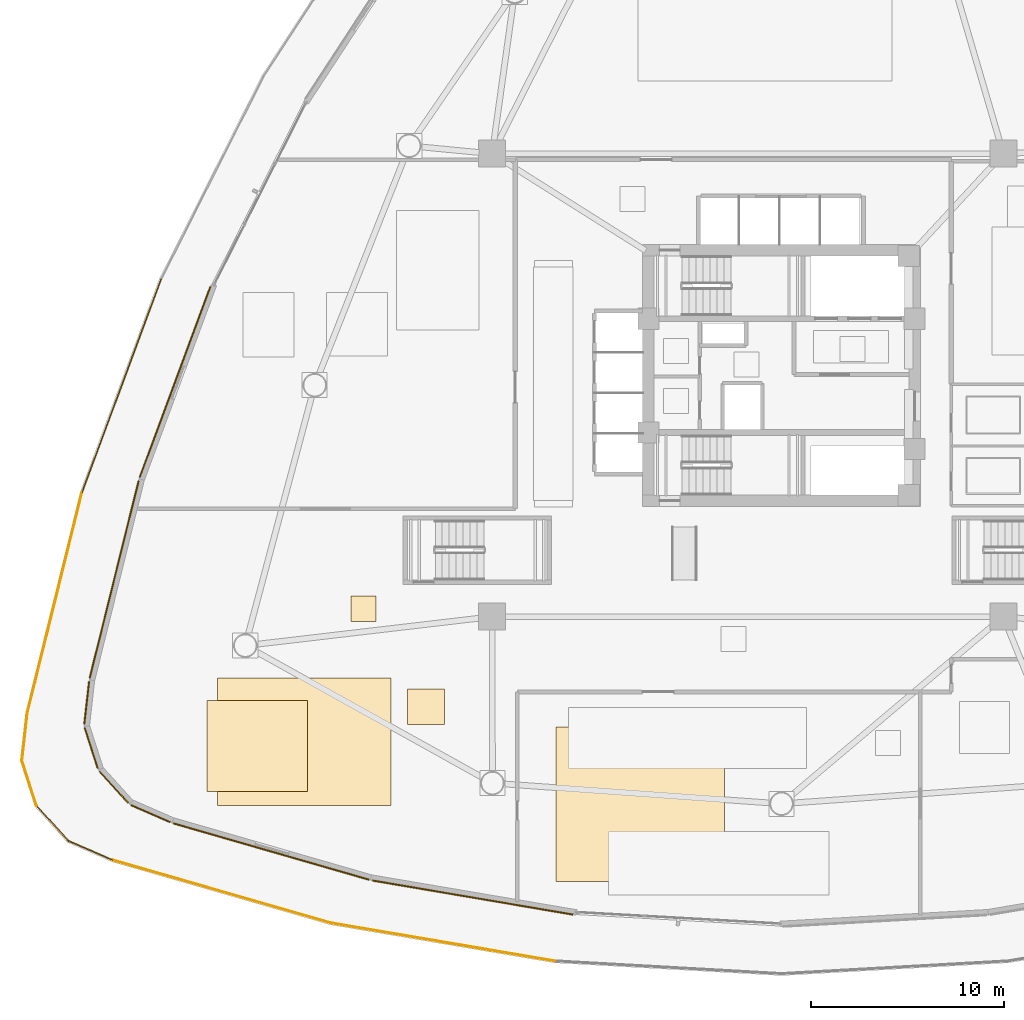
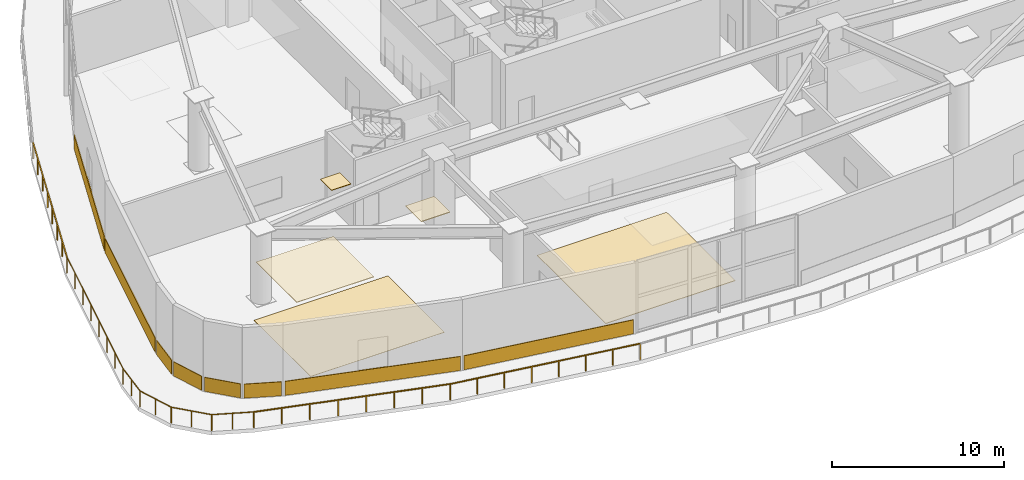
# One storey, part 17 of 25: 13 coverings, 8 railings.
"""IFC4 building model written with IfcOpenShell, lengths in metres."""

from ifc_helpers import new_model, si_unit, direction, frame, origin, origin_2d, place, context, subcontext, project, spatial, polyline, rectangle, outline, extrude, material, layer, layer_set, type_object, element, save


model = new_model("IFC4")

# Units and contexts
model_context = context("Model", 3, precision=1e-05, world=origin(), true_north=direction((0.0, 1.0)))
body_context = subcontext(model_context, "Body", "Model", "MODEL_VIEW")
ifc_project = project(units=[si_unit("LENGTHUNIT", "METRE"), si_unit("AREAUNIT", "SQUARE_METRE"), si_unit("VOLUMEUNIT", "CUBIC_METRE"), si_unit("PLANEANGLEUNIT", "RADIAN"), si_unit("MASSUNIT", "GRAM", prefix="KILO")], contexts=[model_context])

# Site, building, storey
site_placement = place(None, origin())
site = spatial("IfcSite", under=ifc_project, at=site_placement, CompositionType="ELEMENT")
building_placement = place(site_placement, origin())
building = spatial("IfcBuilding", under=site, at=building_placement, Name="Tavelor Broadcast Tower", CompositionType="ELEMENT")
storey_placement = place(building_placement, frame((0.0, 0.0, 11.39990234375)))
storey = spatial("IfcBuildingStorey", under=building, at=storey_placement, Name="L02", CompositionType="ELEMENT", Elevation=11.39990234375)

# Coverings
ifc_material_1 = material(Name="Acoustic Nylon Carpet Tile")
ifc_layer_1 = layer(ifc_material_1, 0.02001953125)
ifc_layer_set_1 = layer_set([ifc_layer_1], Name="Acoustic Nylon Carpet Tile")
covering_type_1 = type_object("IfcCoveringType", Name="Heavy-Duty Acoustic Broadcast Carpet Tile 20 mm", PredefinedType="FLOORING", material=ifc_layer_set_1)
covering_1_placement = place(storey_placement, origin())
element("IfcCovering", 1, at=covering_1_placement, inside=storey, type_object=covering_type_1, Name="L02 Broadcast Floor Finish 0026", PredefinedType="FLOORING", context=body_context, shape_type="SweptSolid", body=[
    extrude(outline(polyline([(20.748291015625, 22.710693359375), (29.75732421875, 22.710693359375), (29.75732421875, 29.316650390625), (20.748291015625, 29.316650390625), (20.748291015625, 22.710693359375)])), origin(), (0.0, 0.0, 1.0), 0.02001953125),
])
ifc_material_2 = material(Name="Acoustic Hardwood Studio Flooring", Category="wood")
ifc_layer_2 = layer(ifc_material_2, 0.034912109375)
ifc_layer_set_2 = layer_set([ifc_layer_2], Name="Acoustic Hardwood Studio Flooring")
covering_type_2 = type_object("IfcCoveringType", Name="Isolated Studio Acoustic Elastomeric Floor Finish 35 mm", PredefinedType="FLOORING", material=ifc_layer_set_2)
covering_2_placement = place(storey_placement, origin())
element("IfcCovering", 2, at=covering_2_placement, inside=storey, type_object=covering_type_2, Name="L02 Broadcast Floor Finish 0025", PredefinedType="FLOORING", context=body_context, shape_type="SweptSolid", body=[
    extrude(outline(polyline([(38.31640625, 18.772216796875), (47.03125, 18.772216796875), (47.03125, 26.7724609375), (38.31640625, 26.7724609375), (38.31640625, 18.772216796875)])), origin(), (0.0, 0.0, 1.0), 0.03515625),
])

# Railings
ifc_material_3 = material(Name="Steel S355", Category="steel")
railing_type = type_object("IfcRailingType", Name="Planted Terrace Laminated Glass Balustrade 1150 mm", PredefinedType="BALUSTRADE", material=ifc_material_3)
railing_1_placement = place(storey_placement, frame((17.8349609375, 49.992919921875, 0.0)))
element("IfcRailing", 3, at=railing_1_placement, inside=storey, type_object=railing_type, Name="L02 Cascading Garden Terrace 1 Balustrade #42", PredefinedType="BALUSTRADE", context=body_context, shape_type="SweptSolid", body=[
    extrude(rectangle(XDim=0.048095703125, YDim=0.048095703125, at=origin_2d()), frame((0.0, 0.0, 1.1259765625), z_axis=(-0.347772777481, -0.937578847481, 0.0), x_axis=(0.937578847481, -0.347772777481, 0.0)), (0.0, 0.0, 1.0), 11.793701171875),
    extrude(rectangle(XDim=0.0419921875, YDim=0.0419921875, at=origin_2d()), origin(), (0.0, 0.0, 1.0), 1.101806640625),
    extrude(rectangle(XDim=0.0419921875, YDim=0.0419921875, at=origin_2d()), frame((-0.5859375, -1.57958984375, 0.0)), (0.0, 0.0, 1.0), 1.101806640625),
    extrude(rectangle(XDim=0.0419921875, YDim=0.0419921875, at=origin_2d()), frame((-1.171875, -3.159423828125, 0.0)), (0.0, 0.0, 1.0), 1.101806640625),
    extrude(rectangle(XDim=0.0419921875, YDim=0.0419921875, at=origin_2d()), frame((-1.7578125, -4.739013671875, 0.0)), (0.0, 0.0, 1.0), 1.101806640625),
    extrude(rectangle(XDim=0.0419921875, YDim=0.0419921875, at=origin_2d()), frame((-2.34375, -6.318603515625, 0.0)), (0.0, 0.0, 1.0), 1.101806640625),
    extrude(rectangle(XDim=0.0419921875, YDim=0.0419921875, at=origin_2d()), frame((-2.9296875, -7.898193359375, 0.0)), (0.0, 0.0, 1.0), 1.101806640625),
    extrude(rectangle(XDim=0.0419921875, YDim=0.0419921875, at=origin_2d()), frame((-3.515625, -9.47802734375, 0.0)), (0.0, 0.0, 1.0), 1.101806640625),
    extrude(rectangle(XDim=0.0419921875, YDim=0.0419921875, at=origin_2d()), frame((-4.1015625, -11.0576171875, 0.0)), (0.0, 0.0, 1.0), 1.101806640625),
])
railing_2_placement = place(storey_placement, frame((13.736572265625, 38.946044921875, 0.0)))
element("IfcRailing", 4, at=railing_2_placement, inside=storey, type_object=railing_type, Name="L02 Cascading Garden Terrace 1 Balustrade #43", PredefinedType="BALUSTRADE", context=body_context, shape_type="SweptSolid", body=[
    extrude(rectangle(XDim=0.048095703125, YDim=0.048095703125, at=origin_2d()), frame((0.0, 0.0, 1.1259765625), z_axis=(-0.240567305341, -0.970632459585, 0.0), x_axis=(0.970632459585, -0.240567305341, 0.0)), (0.0, 0.0, 1.0), 11.793701171875),
    extrude(rectangle(XDim=0.0419921875, YDim=0.0419921875, at=origin_2d()), origin(), (0.0, 0.0, 1.0), 1.101806640625),
    extrude(rectangle(XDim=0.0419921875, YDim=0.0419921875, at=origin_2d()), frame((-0.4052734375, -1.63525390625, 0.0)), (0.0, 0.0, 1.0), 1.101806640625),
    extrude(rectangle(XDim=0.0419921875, YDim=0.0419921875, at=origin_2d()), frame((-0.810546875, -3.270751953125, 0.0)), (0.0, 0.0, 1.0), 1.101806640625),
    extrude(rectangle(XDim=0.0419921875, YDim=0.0419921875, at=origin_2d()), frame((-1.2158203125, -4.906005859375, 0.0)), (0.0, 0.0, 1.0), 1.101806640625),
    extrude(rectangle(XDim=0.0419921875, YDim=0.0419921875, at=origin_2d()), frame((-1.621337890625, -6.541259765625, 0.0)), (0.0, 0.0, 1.0), 1.101806640625),
    extrude(rectangle(XDim=0.0419921875, YDim=0.0419921875, at=origin_2d()), frame((-2.026611328125, -8.176513671875, 0.0)), (0.0, 0.0, 1.0), 1.101806640625),
    extrude(rectangle(XDim=0.0419921875, YDim=0.0419921875, at=origin_2d()), frame((-2.431884765625, -9.81201171875, 0.0)), (0.0, 0.0, 1.0), 1.101806640625),
    extrude(rectangle(XDim=0.0419921875, YDim=0.0419921875, at=origin_2d()), frame((-2.837158203125, -11.447265625, 0.0)), (0.0, 0.0, 1.0), 1.101806640625),
])
railing_3_placement = place(storey_placement, frame((10.901611328125, 27.51171875, 0.0)))
element("IfcRailing", 5, at=railing_3_placement, inside=storey, type_object=railing_type, Name="L02 Cascading Garden Terrace 1 Balustrade #44", PredefinedType="BALUSTRADE", context=body_context, shape_type="SweptSolid", body=[
    extrude(rectangle(XDim=0.048095703125, YDim=0.048095703125, at=origin_2d()), frame((0.0, 0.0, 1.1259765625), z_axis=(-0.112282019589, -0.993676379953, 0.0), x_axis=(0.993676379953, -0.112282019589, 0.0)), (0.0, 0.0, 1.0), 2.5048828125),
    extrude(rectangle(XDim=0.0419921875, YDim=0.0419921875, at=origin_2d()), origin(), (0.0, 0.0, 1.0), 1.101806640625),
    extrude(rectangle(XDim=0.0419921875, YDim=0.0419921875, at=origin_2d()), frame((-0.140625, -1.24462890625, 0.0)), (0.0, 0.0, 1.0), 1.101806640625),
    extrude(rectangle(XDim=0.0419921875, YDim=0.0419921875, at=origin_2d()), frame((-0.28125, -2.489013671875, 0.0)), (0.0, 0.0, 1.0), 1.101806640625),
])
railing_4_placement = place(storey_placement, frame((10.6162109375, 25.064697265625, 0.0)))
element("IfcRailing", 6, at=railing_4_placement, inside=storey, type_object=railing_type, Name="L02 Cascading Garden Terrace 1 Balustrade #45", PredefinedType="BALUSTRADE", context=body_context, shape_type="SweptSolid", body=[
    extrude(rectangle(XDim=0.048095703125, YDim=0.048095703125, at=origin_2d()), frame((0.0, 0.0, 1.1259765625), z_axis=(0.306472984864, -0.951879356614, 0.0), x_axis=(0.951879356614, 0.306472984864, 0.0)), (0.0, 0.0, 1.0), 2.504638671875),
    extrude(rectangle(XDim=0.0419921875, YDim=0.0419921875, at=origin_2d()), origin(), (0.0, 0.0, 1.0), 1.101806640625),
    extrude(rectangle(XDim=0.0419921875, YDim=0.0419921875, at=origin_2d()), frame((0.3837890625, -1.19189453125, 0.0)), (0.0, 0.0, 1.0), 1.101806640625),
    extrude(rectangle(XDim=0.0419921875, YDim=0.0419921875, at=origin_2d()), frame((0.767578125, -2.384033203125, 0.0)), (0.0, 0.0, 1.0), 1.101806640625),
])
railing_5_placement = place(storey_placement, frame((11.36279296875, 22.717041015625, 0.0)))
element("IfcRailing", 7, at=railing_5_placement, inside=storey, type_object=railing_type, Name="L02 Cascading Garden Terrace 1 Balustrade #46", PredefinedType="BALUSTRADE", context=body_context, shape_type="SweptSolid", body=[
    extrude(rectangle(XDim=0.048095703125, YDim=0.048095703125, at=origin_2d()), frame((0.0, 0.0, 1.1259765625), z_axis=(0.671040935309, -0.741420301273, 0.0), x_axis=(0.741420301273, 0.671040935309, 0.0)), (0.0, 0.0, 1.0), 2.504638671875),
    extrude(rectangle(XDim=0.0419921875, YDim=0.0419921875, at=origin_2d()), origin(), (0.0, 0.0, 1.0), 1.101806640625),
    extrude(rectangle(XDim=0.0419921875, YDim=0.0419921875, at=origin_2d()), frame((0.84033203125, -0.928466796875, 0.0)), (0.0, 0.0, 1.0), 1.101806640625),
    extrude(rectangle(XDim=0.0419921875, YDim=0.0419921875, at=origin_2d()), frame((1.6806640625, -1.85693359375, 0.0)), (0.0, 0.0, 1.0), 1.101806640625),
])
railing_6_placement = place(storey_placement, frame((13.009521484375, 20.884765625, 0.0)))
element("IfcRailing", 8, at=railing_6_placement, inside=storey, type_object=railing_type, Name="L02 Cascading Garden Terrace 1 Balustrade #47", PredefinedType="BALUSTRADE", context=body_context, shape_type="SweptSolid", body=[
    extrude(rectangle(XDim=0.048095703125, YDim=0.048095703125, at=origin_2d()), frame((0.0, 0.0, 1.1259765625), z_axis=(0.9167023735, -0.399570717671, 0.0), x_axis=(0.399570717671, 0.9167023735, 0.0)), (0.0, 0.0, 1.0), 2.504638671875),
    extrude(rectangle(XDim=0.0419921875, YDim=0.0419921875, at=origin_2d()), origin(), (0.0, 0.0, 1.0), 1.101806640625),
    extrude(rectangle(XDim=0.0419921875, YDim=0.0419921875, at=origin_2d()), frame((1.14794921875, -0.50048828125, 0.0)), (0.0, 0.0, 1.0), 1.101806640625),
    extrude(rectangle(XDim=0.0419921875, YDim=0.0419921875, at=origin_2d()), frame((2.2958984375, -1.000732421875, 0.0)), (0.0, 0.0, 1.0), 1.101806640625),
])
railing_7_placement = place(storey_placement, frame((15.293212890625, 19.888427734375, 0.0)))
element("IfcRailing", 9, at=railing_7_placement, inside=storey, type_object=railing_type, Name="L02 Cascading Garden Terrace 1 Balustrade #48", PredefinedType="BALUSTRADE", context=body_context, shape_type="SweptSolid", body=[
    extrude(rectangle(XDim=0.048095703125, YDim=0.048095703125, at=origin_2d()), frame((0.0, 0.0, 1.1259765625), z_axis=(0.960876050764, -0.276978726743, 0.0), x_axis=(0.276978726743, 0.960876050764, 0.0)), (0.0, 0.0, 1.0), 11.793701171875),
    extrude(rectangle(XDim=0.0419921875, YDim=0.0419921875, at=origin_2d()), origin(), (0.0, 0.0, 1.0), 1.101806640625),
    extrude(rectangle(XDim=0.0419921875, YDim=0.0419921875, at=origin_2d()), frame((1.618896484375, -0.466552734375, 0.0)), (0.0, 0.0, 1.0), 1.101806640625),
    extrude(rectangle(XDim=0.0419921875, YDim=0.0419921875, at=origin_2d()), frame((3.23779296875, -0.933349609375, 0.0)), (0.0, 0.0, 1.0), 1.101806640625),
    extrude(rectangle(XDim=0.0419921875, YDim=0.0419921875, at=origin_2d()), frame((4.856689453125, -1.39990234375, 0.0)), (0.0, 0.0, 1.0), 1.101806640625),
    extrude(rectangle(XDim=0.0419921875, YDim=0.0419921875, at=origin_2d()), frame((6.4755859375, -1.86669921875, 0.0)), (0.0, 0.0, 1.0), 1.101806640625),
    extrude(rectangle(XDim=0.0419921875, YDim=0.0419921875, at=origin_2d()), frame((8.094482421875, -2.333251953125, 0.0)), (0.0, 0.0, 1.0), 1.101806640625),
    extrude(rectangle(XDim=0.0419921875, YDim=0.0419921875, at=origin_2d()), frame((9.71337890625, -2.800048828125, 0.0)), (0.0, 0.0, 1.0), 1.101806640625),
    extrude(rectangle(XDim=0.0419921875, YDim=0.0419921875, at=origin_2d()), frame((11.332275390625, -3.2666015625, 0.0)), (0.0, 0.0, 1.0), 1.101806640625),
])
railing_8_placement = place(storey_placement, frame((26.614501953125, 16.624267578125, 0.0)))
element("IfcRailing", 10, at=railing_8_placement, inside=storey, type_object=railing_type, Name="L02 Cascading Garden Terrace 1 Balustrade #49", PredefinedType="BALUSTRADE", context=body_context, shape_type="SweptSolid", body=[
    extrude(rectangle(XDim=0.048095703125, YDim=0.048095703125, at=origin_2d()), frame((0.0, 0.0, 1.1259765625), z_axis=(0.985856701713, -0.16759046419, 0.0), x_axis=(0.16759046419, 0.985856701713, 0.0)), (0.0, 0.0, 1.0), 11.7939453125),
    extrude(rectangle(XDim=0.0419921875, YDim=0.0419921875, at=origin_2d()), origin(), (0.0, 0.0, 1.0), 1.101806640625),
    extrude(rectangle(XDim=0.0419921875, YDim=0.0419921875, at=origin_2d()), frame((1.6611328125, -0.282470703125, 0.0)), (0.0, 0.0, 1.0), 1.101806640625),
    extrude(rectangle(XDim=0.0419921875, YDim=0.0419921875, at=origin_2d()), frame((3.322021484375, -0.564697265625, 0.0)), (0.0, 0.0, 1.0), 1.101806640625),
    extrude(rectangle(XDim=0.0419921875, YDim=0.0419921875, at=origin_2d()), frame((4.983154296875, -0.84716796875, 0.0)), (0.0, 0.0, 1.0), 1.101806640625),
    extrude(rectangle(XDim=0.0419921875, YDim=0.0419921875, at=origin_2d()), frame((6.64404296875, -1.12939453125, 0.0)), (0.0, 0.0, 1.0), 1.101806640625),
    extrude(rectangle(XDim=0.0419921875, YDim=0.0419921875, at=origin_2d()), frame((8.30517578125, -1.411865234375, 0.0)), (0.0, 0.0, 1.0), 1.101806640625),
    extrude(rectangle(XDim=0.0419921875, YDim=0.0419921875, at=origin_2d()), frame((9.966064453125, -1.694091796875, 0.0)), (0.0, 0.0, 1.0), 1.101806640625),
    extrude(rectangle(XDim=0.0419921875, YDim=0.0419921875, at=origin_2d()), frame((11.627197265625, -1.9765625, 0.0)), (0.0, 0.0, 1.0), 1.101806640625),
])

# Coverings
ifc_material_4 = material(Name="Kiln-Fired Glazed Terracotta", Category="masonry")
ifc_layer_3 = layer(ifc_material_4, 0.06494140625)
ifc_layer_set_3 = layer_set([ifc_layer_3], Name="Kiln-Fired Glazed Terracotta")
covering_type_3 = type_object("IfcCoveringType", Name="Ribbed Terracotta Rainscreen Spandrel Cladding 65 mm", PredefinedType="CLADDING", material=ifc_layer_set_3)
for number, where, z_axis, x_axis, name in (
    (11, (18.56201171875, 44.66748046875, 0.050048828125), (0.0, 0.0, 1.0), (-0.347753981862, -0.937585819058, 0.0), "L02 Terracotta Spandrel Rainscreen 09"),
    (12, (15.404541015625, 34.427001953125, 0.050048828125), (0.0, 0.0, 1.0), (-0.240566871809, -0.970632567035, 0.0), "L02 Terracotta Spandrel Rainscreen 10"),
):
    element("IfcCovering", number, at=place(storey_placement, frame(where, z_axis=z_axis, x_axis=x_axis)), inside=storey, type_object=covering_type_3, Name=name, PredefinedType="CLADDING", context=body_context, shape_type="SweptSolid", body=[
        extrude(rectangle(XDim=10.533203125, YDim=0.06494140625, at=origin_2d()), origin(), (0.0, 0.0, 1.0), 1.0),
    ])
for number, where, z_axis, x_axis, name in (
    (13, (13.978759765625, 28.02587890625, 0.050048828125), (0.0, 0.0, 1.0), (-0.112336115762, -0.99367026578, 0.0), "L02 Terracotta Spandrel Rainscreen 11"),
    (14, (14.2119140625, 25.69189453125, 0.050048828125), (0.0, 0.0, 1.0), (0.306526078098, -0.951862260753, 0.0), "L02 Terracotta Spandrel Rainscreen 12"),
    (15, (15.384521484375, 23.66064453125, 0.050048828125), (0.0, 0.0, 1.0), (0.671073859667, -0.741390500932, 0.0), "L02 Terracotta Spandrel Rainscreen 13"),
    (16, (17.28955078125, 22.291748046875, 0.050048828125), (0.0, 0.0, 1.0), (0.916711751032, -0.399549202878, 0.0), "L02 Terracotta Spandrel Rainscreen 14"),
):
    element("IfcCovering", number, at=place(storey_placement, frame(where, z_axis=z_axis, x_axis=x_axis)), inside=storey, type_object=covering_type_3, Name=name, PredefinedType="CLADDING", context=body_context, shape_type="SweptSolid", body=[
        extrude(rectangle(XDim=2.199462890625, YDim=0.06494140625, at=origin_2d()), origin(), (0.0, 0.0, 1.0), 1.0),
    ])
for number, where, z_axis, x_axis, name in (
    (17, (23.5458984375, 20.326171875, 0.050048828125), (0.0, 0.0, 1.0), (0.960875896697, -0.276979261222, 0.0), "L02 Terracotta Spandrel Rainscreen 15"),
    (18, (33.9931640625, 17.940185546875, 0.050048828125), (0.0, 0.0, 1.0), (0.985850128464, -0.167629126969, 0.0), "L02 Terracotta Spandrel Rainscreen 16"),
):
    element("IfcCovering", number, at=place(storey_placement, frame(where, z_axis=z_axis, x_axis=x_axis)), inside=storey, type_object=covering_type_3, Name=name, PredefinedType="CLADDING", context=body_context, shape_type="SweptSolid", body=[
        extrude(rectangle(XDim=10.533203125, YDim=0.06494140625, at=origin_2d()), origin(), (0.0, 0.0, 1.0), 1.0),
    ])
ifc_material_5 = material(Name="Acoustic Mineral Fibre Tile")
ifc_layer_4 = layer(ifc_material_5, 0.0400390625)
ifc_layer_set_4 = layer_set([ifc_layer_4], Name="Acoustic Mineral Fibre Tile")
covering_type_4 = type_object("IfcCoveringType", Name="Suspended Acoustic Mineral-Fibre Office Ceiling 40 mm", PredefinedType="CEILING", material=ifc_layer_set_4)
covering_3_placement = place(storey_placement, frame((0.0, 0.0, 5.010009765625)))
element("IfcCovering", 19, at=covering_3_placement, inside=storey, type_object=covering_type_4, Name="L02 Suspended Acoustic Ceiling 0064", PredefinedType="CEILING", context=body_context, shape_type="SweptSolid", body=[
    extrude(outline(polyline([(20.228515625, 23.42822265625), (25.419921875, 23.42822265625), (25.419921875, 28.153076171875), (20.228515625, 28.153076171875), (20.228515625, 23.42822265625)])), origin(), (0.0, 0.0, 1.0), 0.0400390625),
])
covering_4_placement = place(storey_placement, frame((0.0, 0.0, 5.010009765625)))
element("IfcCovering", 20, at=covering_4_placement, inside=storey, type_object=covering_type_4, Name="L02 Suspended Acoustic Ceiling 0065", PredefinedType="CEILING", context=body_context, shape_type="SweptSolid", body=[
    extrude(outline(polyline([(27.668701171875, 32.260986328125), (28.968505859375, 32.260986328125), (28.968505859375, 33.560791015625), (27.668701171875, 33.560791015625), (27.668701171875, 32.260986328125)])), origin(), (0.0, 0.0, 1.0), 0.0400390625),
])
covering_5_placement = place(storey_placement, frame((0.0, 0.0, 5.010009765625)))
element("IfcCovering", 21, at=covering_5_placement, inside=storey, type_object=covering_type_4, Name="L02 Suspended Acoustic Ceiling 0066", PredefinedType="CEILING", context=body_context, shape_type="SweptSolid", body=[
    extrude(outline(polyline([(30.60009765625, 26.89892578125), (32.538818359375, 26.89892578125), (32.538818359375, 28.746337890625), (30.60009765625, 28.746337890625), (30.60009765625, 26.89892578125)])), origin(), (0.0, 0.0, 1.0), 0.0400390625),
])

save(model, "model.ifc")
